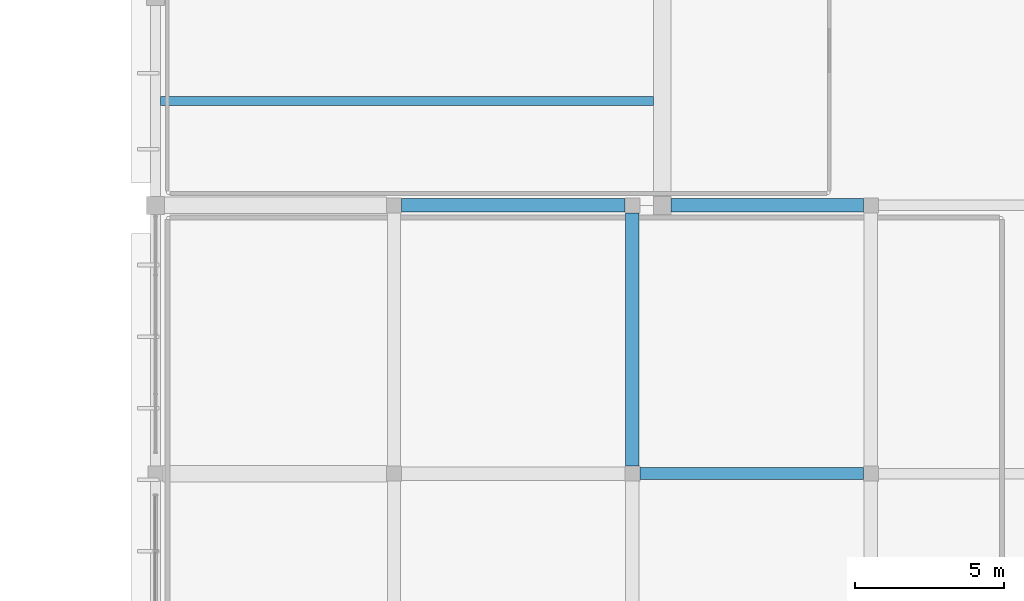
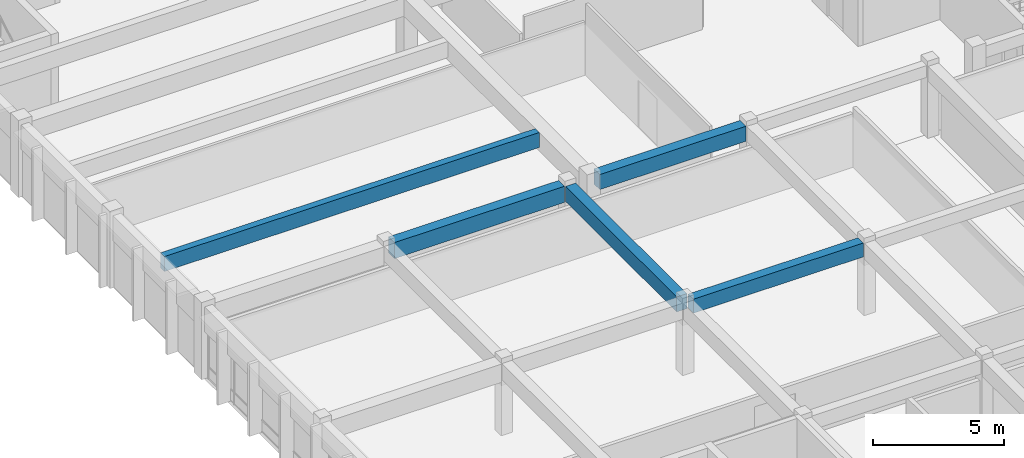
# One storey, part 7 of 33: 5 beams.
"""IFC4 building model written with IfcOpenShell, lengths in metres."""

from ifc_helpers import new_model, si_unit, direction, frame, origin, origin_2d, place, context, subcontext, project, spatial, rectangle, extrude, material, material_profile, profile_set, type_object, element, save


model = new_model("IFC4")

# Units and contexts
model_context = context("Model", 3, precision=1e-05, world=origin(), true_north=direction((0.0, 1.0)))
body_context = subcontext(model_context, "Body", "Model", "MODEL_VIEW")
ifc_project = project(units=[si_unit("LENGTHUNIT", "METRE"), si_unit("AREAUNIT", "SQUARE_METRE"), si_unit("VOLUMEUNIT", "CUBIC_METRE"), si_unit("PLANEANGLEUNIT", "RADIAN"), si_unit("MASSUNIT", "GRAM", prefix="KILO")], contexts=[model_context])

# Site, building, storey
site_placement = place(None, origin())
site = spatial("IfcSite", under=ifc_project, at=site_placement, CompositionType="ELEMENT")
building_placement = place(site_placement, origin())
building = spatial("IfcBuilding", under=site, at=building_placement, Name="Larkveld Mobility Hub", CompositionType="ELEMENT")
storey_placement = place(building_placement, frame((0.0, 0.0, 15.60009765625)))
storey = spatial("IfcBuildingStorey", under=building, at=storey_placement, Name="L04", CompositionType="ELEMENT", Elevation=15.60009765625)

# Beams
ifc_material_1 = material(Name="Precast concrete C50/60", Category="concrete")
ifc_material_profile_1 = material_profile(ifc_material_1, rectangle(XDim=0.300048828125, YDim=0.699951171875, at=origin_2d()), Name="PC DT 300x700")
ifc_profile_set_1 = profile_set([ifc_material_profile_1], Name="Precast concrete C50/60")
beam_type_1 = type_object("IfcBeamType", Name="BM-DT3070", PredefinedType="T_BEAM", material=ifc_profile_set_1)
beam_1_placement = place(storey_placement, frame((112.169921875, 31.5, 3.02001953125), z_axis=(1.0, 0.0, 0.0), x_axis=(0.0, 1.0, 0.0)))
element("IfcBeam", 1, at=beam_1_placement, inside=storey, type_object=beam_type_1, Name="Precast Double-Tee Stem L04-1130", PredefinedType="T_BEAM", context=body_context, shape_type="SweptSolid", body=[
    extrude(rectangle(XDim=0.300048828125, YDim=0.699951171875, at=origin_2d()), origin(), (0.0, 0.0, 1.0), 16.53515625),
])
ifc_material_2 = material(Name="Concrete C40/50", Category="concrete")
ifc_material_profile_2 = material_profile(ifc_material_2, rectangle(XDim=0.39990234375, YDim=0.64990234375, at=origin_2d()), Name="RC BM 400x650")
ifc_profile_set_2 = profile_set([ifc_material_profile_2], Name="Concrete C40/50")
beam_type_2 = type_object("IfcBeamType", Name="BM-RC4065", PredefinedType="BEAM", material=ifc_profile_set_2)
beam_2_placement = place(storey_placement, frame((128.25, 19.0, 3.034912109375), z_axis=(1.0, 0.0, 0.0), x_axis=(0.0, 1.0, 0.0)))
element("IfcBeam", 2, at=beam_2_placement, inside=storey, type_object=beam_type_2, Name="Primary E-W Girder L04-0868", PredefinedType="BEAM", context=body_context, shape_type="SweptSolid", body=[
    extrude(rectangle(XDim=0.39990234375, YDim=0.64990234375, at=origin_2d()), origin(), (0.0, 0.0, 1.0), 7.5),
])
ifc_material_profile_3 = material_profile(ifc_material_2, rectangle(XDim=0.449951171875, YDim=0.699951171875, at=origin_2d()), Name="RC BM 450x700")
ifc_profile_set_3 = profile_set([ifc_material_profile_3], Name="Concrete C40/50")
beam_type_3 = type_object("IfcBeamType", Name="BM-RC4570", PredefinedType="BEAM", material=ifc_profile_set_3)
beam_3_placement = place(storey_placement, frame((129.300048828125, 28.0, 3.010009765625), z_axis=(1.0, 0.0, 0.0), x_axis=(0.0, 1.0, 0.0)))
element("IfcBeam", 3, at=beam_3_placement, inside=storey, type_object=beam_type_3, Name="Primary E-W Girder L04-0874", PredefinedType="BEAM", context=body_context, shape_type="SweptSolid", body=[
    extrude(rectangle(XDim=0.449951171875, YDim=0.699951171875, at=origin_2d()), origin(), (0.0, 0.0, 1.0), 6.449951171875),
])
beam_4_placement = place(storey_placement, frame((128.0, 19.25, 3.010009765625), z_axis=(0.0, 1.0, 0.0), x_axis=(-1.0, 0.0, 0.0)))
element("IfcBeam", 4, at=beam_4_placement, inside=storey, type_object=beam_type_3, Name="Primary N-S Girder L04-0912", PredefinedType="BEAM", context=body_context, shape_type="SweptSolid", body=[
    extrude(rectangle(XDim=0.449951171875, YDim=0.699951171875, at=origin_2d()), origin(), (0.0, 0.0, 1.0), 8.5),
])
ifc_material_profile_4 = material_profile(ifc_material_2, rectangle(XDim=0.449951171875, YDim=0.75, at=origin_2d()), Name="RC BM 450x750")
ifc_profile_set_4 = profile_set([ifc_material_profile_4], Name="Concrete C40/50")
beam_type_4 = type_object("IfcBeamType", Name="BM-RC4575", PredefinedType="BEAM", material=ifc_profile_set_4)
beam_5_placement = place(storey_placement, frame((120.25, 28.0, 2.98486328125), z_axis=(1.0, 0.0, 0.0), x_axis=(0.0, 1.0, 0.0)))
element("IfcBeam", 5, at=beam_5_placement, inside=storey, type_object=beam_type_4, Name="Primary E-W Girder L04-0873", PredefinedType="BEAM", context=body_context, shape_type="SweptSolid", body=[
    extrude(rectangle(XDim=0.449951171875, YDim=0.75, at=origin_2d()), origin(), (0.0, 0.0, 1.0), 7.5),
])

save(model, "model.ifc")
